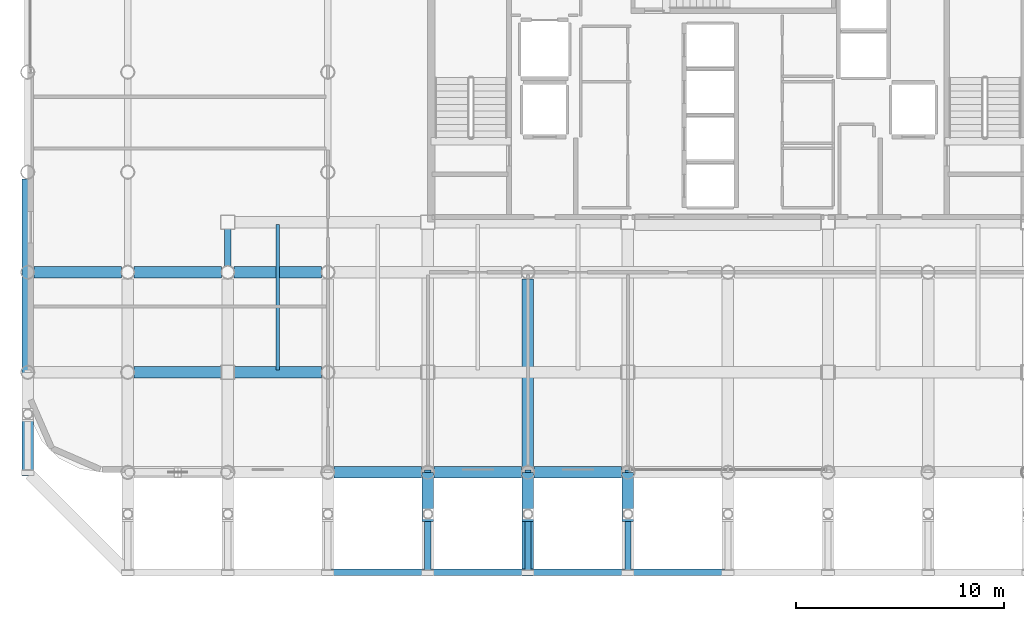
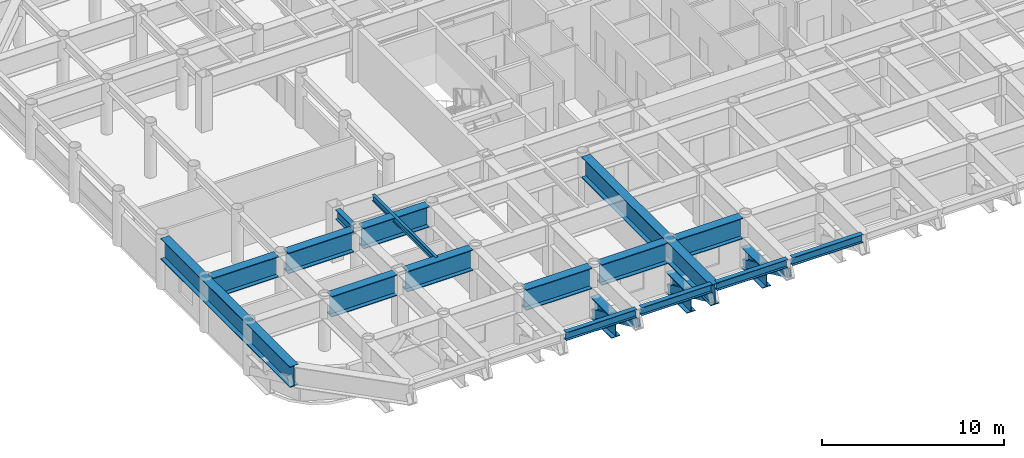
# One storey, part 3 of 24: 19 beams, 3 members.
"""IFC4 building model written with IfcOpenShell, lengths in metres."""

from ifc_helpers import new_model, si_unit, direction, frame, origin, origin_2d, place, context, subcontext, project, spatial, hollow_rectangle, i_section, extrude, material, material_profile, profile_set, type_object, element, save


model = new_model("IFC4")

# Units and contexts
model_context = context("Model", 3, precision=1e-05, world=origin(), true_north=direction((0.0, 1.0)))
body_context = subcontext(model_context, "Body", "Model", "MODEL_VIEW")
ifc_project = project(units=[si_unit("LENGTHUNIT", "METRE"), si_unit("AREAUNIT", "SQUARE_METRE"), si_unit("VOLUMEUNIT", "CUBIC_METRE"), si_unit("PLANEANGLEUNIT", "RADIAN"), si_unit("MASSUNIT", "GRAM", prefix="KILO")], contexts=[model_context])

# Site, building, storey
site_placement = place(None, origin())
site = spatial("IfcSite", under=ifc_project, at=site_placement, CompositionType="ELEMENT")
building_placement = place(site_placement, origin())
building = spatial("IfcBuilding", under=site, at=building_placement, Name="Kallvorn Hotel Tower", CompositionType="ELEMENT")
storey_placement = place(building_placement, frame((0.0, 0.0, 150.699951171875)))
storey = spatial("IfcBuildingStorey", under=building, at=storey_placement, Name="L37", CompositionType="ELEMENT", Elevation=150.699951171875)

# Beams
ifc_material_1 = material(Name="Structural steel S355JR", Category="steel")
ifc_material_profile_1 = material_profile(ifc_material_1, i_section(OverallWidth=0.300048828125, OverallDepth=0.550048828125, WebThickness=0.014892578125, FlangeThickness=0.029052734375, at=origin_2d()), Name="HE 550 B")
ifc_profile_set_1 = profile_set([ifc_material_profile_1], Name="Structural steel S355JR")
beam_type_1 = type_object("IfcBeamType", Name="BM_HE550B", PredefinedType="SPANDREL", material=ifc_profile_set_1)
for number, where, z_axis, x_axis, name in (
    (1, (-19.050048828125, -24.0, 3.2451171875), (1.0, 0.0, 0.0), (0.0, 1.0, 0.0), "L38 Perimeter Spandrel 166"),
    (2, (-14.25, -24.0, 3.2451171875), (1.0, 0.0, 0.0), (0.0, 1.0, 0.0), "L38 Perimeter Spandrel 167"),
    (3, (-9.449951171875, -24.0, 3.2451171875), (1.0, 0.0, 0.0), (0.0, 1.0, 0.0), "L38 Perimeter Spandrel 168"),
    (4, (-4.64990234375, -24.0, 3.2451171875), (1.0, 0.0, 0.0), (0.0, 1.0, 0.0), "L38 Perimeter Spandrel 169"),
):
    element("IfcBeam", number, at=place(storey_placement, frame(where, z_axis=z_axis, x_axis=x_axis)), inside=storey, type_object=beam_type_1, Name=name, PredefinedType="SPANDREL", context=body_context, shape_type="SweptSolid", body=[
        extrude(i_section(OverallWidth=0.300048828125, OverallDepth=0.550048828125, WebThickness=0.014892578125, FlangeThickness=0.029052734375, at=origin_2d()), origin(), (0.0, 0.0, 1.0), 4.5),
    ])
ifc_material_2 = material(Name="Structural steel S355JR", Category="steel")
ifc_material_profile_2 = material_profile(ifc_material_2, i_section(OverallWidth=0.300048828125, OverallDepth=0.64990234375, WebThickness=0.01611328125, FlangeThickness=0.031005859375, at=origin_2d()), Name="HE 650 B")
ifc_profile_set_2 = profile_set([ifc_material_profile_2], Name="Structural steel S355JR")
beam_type_2 = type_object("IfcBeamType", Name="BM_HE650B", PredefinedType="BEAM", material=ifc_profile_set_2)
beam_1_placement = place(storey_placement, frame((-24.0, -9.294921875, 3.195068359375), z_axis=(0.0, 1.0, 0.0), x_axis=(-1.0, 0.0, 0.0)))
element("IfcBeam", 5, at=beam_1_placement, inside=storey, type_object=beam_type_2, Name="L38 Primary Y-Girder 97", PredefinedType="BEAM", context=body_context, shape_type="SweptSolid", body=[
    extrude(i_section(OverallWidth=0.300048828125, OverallDepth=0.64990234375, WebThickness=0.01611328125, FlangeThickness=0.031005859375, at=origin_2d()), origin(), (0.0, 0.0, 1.0), 1.77001953125),
])
ifc_material_3 = material(Name="Structural steel S355JR", Category="steel")
ifc_material_profile_3 = material_profile(ifc_material_3, i_section(OverallWidth=0.179931640625, OverallDepth=0.39990234375, WebThickness=0.008544921875, FlangeThickness=0.013427734375, at=origin_2d()), Name="IPE 400")
ifc_profile_set_3 = profile_set([ifc_material_profile_3], Name="Structural steel S355JR")
beam_type_3 = type_object("IfcBeamType", Name="BM_IPE400", PredefinedType="JOIST", material=ifc_profile_set_3)
beam_2_placement = place(storey_placement, frame((-21.60009765625, -14.300048828125, 3.320068359375), z_axis=(0.0, 1.0, 0.0), x_axis=(-1.0, 0.0, 0.0)))
element("IfcBeam", 6, at=beam_2_placement, inside=storey, type_object=beam_type_3, Name="L38 Secondary Composite Joist 205", PredefinedType="JOIST", context=body_context, shape_type="SweptSolid", body=[
    extrude(i_section(OverallWidth=0.179931640625, OverallDepth=0.39990234375, WebThickness=0.008544921875, FlangeThickness=0.013427734375, at=origin_2d()), origin(), (0.0, 0.0, 1.0), 7.0),
])
ifc_material_4 = material(Name="Structural steel S355JR", Category="steel")
ifc_material_profile_4 = material_profile(ifc_material_4, i_section(OverallWidth=0.550048828125, OverallDepth=1.39990234375, WebThickness=0.02490234375, FlangeThickness=0.044921875, at=origin_2d()), Name="PG 1400x550x25x45")
ifc_profile_set_4 = profile_set([ifc_material_profile_4], Name="Structural steel S355JR")
beam_type_4 = type_object("IfcBeamType", Name="BM_PG_1400", PredefinedType="BEAM", material=ifc_profile_set_4)
beam_3_placement = place(storey_placement, frame((-33.60009765625, -5.1201171875, 2.820068359375), z_axis=(0.0, -1.0, 0.0), x_axis=(1.0, 0.0, 0.0)))
element("IfcBeam", 7, at=beam_3_placement, inside=storey, type_object=beam_type_4, Name="L38 Continuous Cantilever Transfer Girder 01", PredefinedType="BEAM", context=body_context, shape_type="SweptSolid", body=[
    extrude(i_section(OverallWidth=0.550048828125, OverallDepth=1.39990234375, WebThickness=0.02490234375, FlangeThickness=0.044921875, at=origin_2d()), origin(), (0.0, 0.0, 1.0), 14.259765625),
])
beam_4_placement = place(storey_placement, frame((-14.39990234375, -19.199951171875, 0.719970703125), z_axis=(0.0, -1.0, 0.0), x_axis=(1.0, 0.0, 0.0)))
element("IfcBeam", 8, at=beam_4_placement, inside=storey, type_object=beam_type_4, Name="L38 Cantilever Haunch Corbel 05", PredefinedType="BEAM", context=body_context, shape_type="SweptSolid", body=[
    extrude(i_section(OverallWidth=0.550048828125, OverallDepth=1.39990234375, WebThickness=0.02490234375, FlangeThickness=0.044921875, at=origin_2d()), origin(), (0.0, 0.0, 1.0), 2.35009765625),
])
beam_5_placement = place(storey_placement, frame((-9.60009765625, -9.919921875, 2.820068359375), z_axis=(0.0, -1.0, 0.0), x_axis=(1.0, 0.0, 0.0)))
element("IfcBeam", 9, at=beam_5_placement, inside=storey, type_object=beam_type_4, Name="L38 Continuous Cantilever Transfer Girder 06", PredefinedType="BEAM", context=body_context, shape_type="SweptSolid", body=[
    extrude(i_section(OverallWidth=0.550048828125, OverallDepth=1.39990234375, WebThickness=0.02490234375, FlangeThickness=0.044921875, at=origin_2d()), origin(), (0.0, 0.0, 1.0), 14.260009765625),
])
for number, where, z_axis, x_axis, name in (
    (10, (-9.60009765625, -19.199951171875, 0.719970703125), (0.0, -1.0, 0.0), (1.0, 0.0, 0.0), "L38 Cantilever Haunch Corbel 06"),
    (11, (-4.800048828125, -19.199951171875, 0.719970703125), (0.0, -1.0, 0.0), (1.0, 0.0, 0.0), "L38 Cantilever Haunch Corbel 07"),
):
    element("IfcBeam", number, at=place(storey_placement, frame(where, z_axis=z_axis, x_axis=x_axis)), inside=storey, type_object=beam_type_4, Name=name, PredefinedType="BEAM", context=body_context, shape_type="SweptSolid", body=[
        extrude(i_section(OverallWidth=0.550048828125, OverallDepth=1.39990234375, WebThickness=0.02490234375, FlangeThickness=0.044921875, at=origin_2d()), origin(), (0.0, 0.0, 1.0), 2.35009765625),
    ])
for number, where, z_axis, x_axis, name in (
    (12, (-18.89501953125, -19.199951171875, 2.820068359375), (1.0, 0.0, 0.0), (0.0, 1.0, 0.0), "L38 Primary X-Girder 16"),
    (13, (-14.094970703125, -19.199951171875, 2.820068359375), (1.0, 0.0, 0.0), (0.0, 1.0, 0.0), "L38 Primary X-Girder 17"),
    (14, (-9.294921875, -19.199951171875, 2.820068359375), (1.0, 0.0, 0.0), (0.0, 1.0, 0.0), "L38 Primary X-Girder 18"),
):
    element("IfcBeam", number, at=place(storey_placement, frame(where, z_axis=z_axis, x_axis=x_axis)), inside=storey, type_object=beam_type_4, Name=name, PredefinedType="BEAM", context=body_context, shape_type="SweptSolid", body=[
        extrude(i_section(OverallWidth=0.550048828125, OverallDepth=1.39990234375, WebThickness=0.02490234375, FlangeThickness=0.044921875, at=origin_2d()), origin(), (0.0, 0.0, 1.0), 4.18994140625),
    ])
for number, where, z_axis, x_axis, name in (
    (15, (-28.4951171875, -14.39990234375, 2.820068359375), (1.0, 0.0, 0.0), (0.0, 1.0, 0.0), "L38 Primary X-Girder 27"),
    (16, (-23.675048828125, -14.39990234375, 2.820068359375), (1.0, 0.0, 0.0), (0.0, 1.0, 0.0), "L38 Primary X-Girder 28"),
):
    element("IfcBeam", number, at=place(storey_placement, frame(where, z_axis=z_axis, x_axis=x_axis)), inside=storey, type_object=beam_type_4, Name=name, PredefinedType="BEAM", context=body_context, shape_type="SweptSolid", body=[
        extrude(i_section(OverallWidth=0.550048828125, OverallDepth=1.39990234375, WebThickness=0.02490234375, FlangeThickness=0.044921875, at=origin_2d()), origin(), (0.0, 0.0, 1.0), 4.170166015625),
    ])
beam_6_placement = place(storey_placement, frame((-33.294921875, -9.60009765625, 2.820068359375), z_axis=(1.0, 0.0, 0.0), x_axis=(0.0, 1.0, 0.0)))
element("IfcBeam", 17, at=beam_6_placement, inside=storey, type_object=beam_type_4, Name="L38 Primary X-Girder 36", PredefinedType="BEAM", context=body_context, shape_type="SweptSolid", body=[
    extrude(i_section(OverallWidth=0.550048828125, OverallDepth=1.39990234375, WebThickness=0.02490234375, FlangeThickness=0.044921875, at=origin_2d()), origin(), (0.0, 0.0, 1.0), 4.18994140625),
])
for number, where, z_axis, x_axis, name in (
    (18, (-28.4951171875, -9.60009765625, 2.820068359375), (1.0, 0.0, 0.0), (0.0, 1.0, 0.0), "L38 Primary X-Girder 37"),
    (19, (-23.695068359375, -9.60009765625, 2.820068359375), (1.0, 0.0, 0.0), (0.0, 1.0, 0.0), "L38 Primary X-Girder 38"),
):
    element("IfcBeam", number, at=place(storey_placement, frame(where, z_axis=z_axis, x_axis=x_axis)), inside=storey, type_object=beam_type_4, Name=name, PredefinedType="BEAM", context=body_context, shape_type="SweptSolid", body=[
        extrude(i_section(OverallWidth=0.550048828125, OverallDepth=1.39990234375, WebThickness=0.02490234375, FlangeThickness=0.044921875, at=origin_2d()), origin(), (0.0, 0.0, 1.0), 4.190185546875),
    ])

# Members
ifc_material_5 = material(Name="Structural steel S355J2H", Category="steel")
ifc_material_profile_5 = material_profile(ifc_material_5, hollow_rectangle(XDim=0.300048828125, YDim=0.5, WallThickness=0.02490234375, at=origin_2d()), Name="RHS 500x300x25")
ifc_profile_set_5 = profile_set([ifc_material_profile_5], Name="Structural steel S355J2H")
member_type = type_object("IfcMemberType", Name="MBR_OUTRIGGER_RHS500", PredefinedType="BRACE", material=ifc_profile_set_5)
for number, where, z_axis, x_axis, name in (
    (20, (-14.39990234375, -19.199951171875, 0.25), (0.0, -0.907630778312, 0.419769425115), (1.0, 0.0, 0.0), "L38 Exoskeleton Cantilever Raking Strut 05"),
    (21, (-9.60009765625, -19.199951171875, 0.25), (0.0, -0.907630778312, 0.419769425115), (1.0, 0.0, 0.0), "L38 Exoskeleton Cantilever Raking Strut 06"),
    (22, (-4.800048828125, -19.199951171875, 0.25), (0.0, -0.907630778312, 0.419769425115), (1.0, 0.0, 0.0), "L38 Exoskeleton Cantilever Raking Strut 07"),
):
    element("IfcMember", number, at=place(storey_placement, frame(where, z_axis=z_axis, x_axis=x_axis)), inside=storey, type_object=member_type, Name=name, PredefinedType="BRACE", context=body_context, shape_type="SweptSolid", body=[
        extrude(hollow_rectangle(XDim=0.300048828125, YDim=0.5, WallThickness=0.02490234375, at=origin_2d()), origin(), (0.0, 0.0, 1.0), 5.28857421875),
    ])

save(model, "model.ifc")
